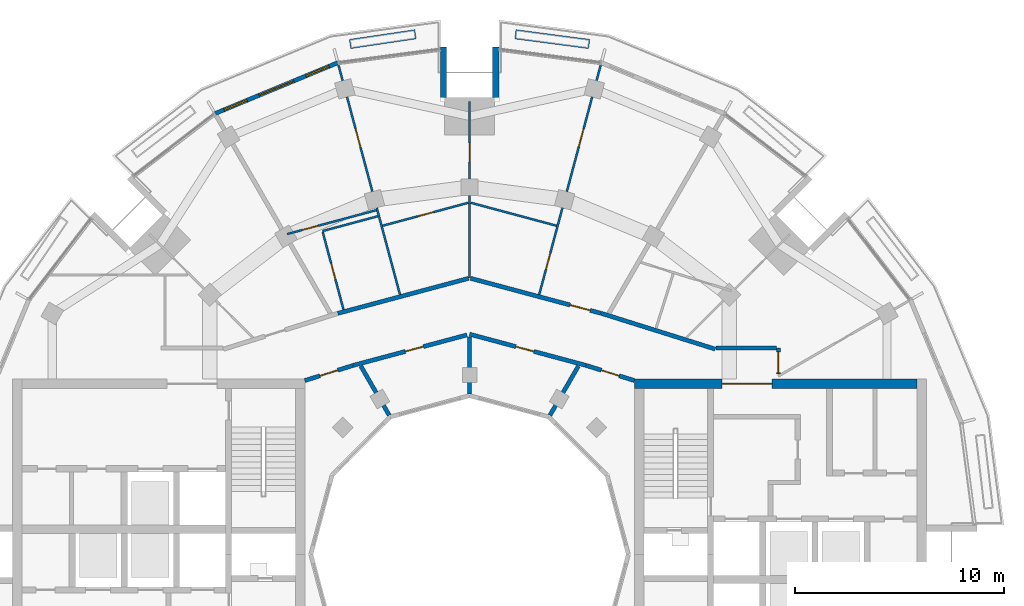
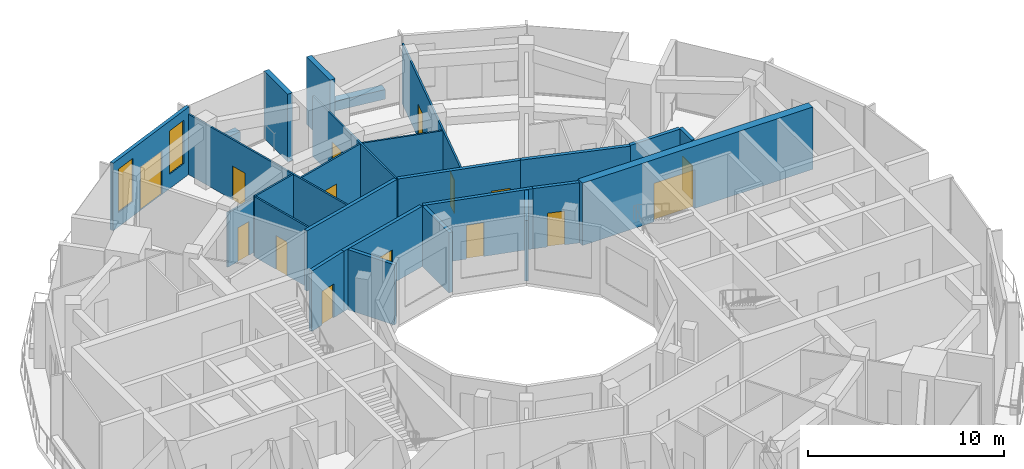
# One storey, part 13 of 17: 26 walls, 15 doors, 2 windows, 17 openings.
"""IFC4 building model written with IfcOpenShell, lengths in metres."""

from ifc_helpers import new_model, si_unit, direction, frame, frame_2d, origin, place, context, subcontext, project, spatial, rectangle, extrude, material, layer, layer_set, type_object, element, fill, save


model = new_model("IFC4")

# Units and contexts
model_context = context("Model", 3, precision=1e-05, world=origin(), true_north=direction((0.0, 1.0)))
body_context = subcontext(model_context, "Body", "Model", "MODEL_VIEW")
ifc_project = project(units=[si_unit("LENGTHUNIT", "METRE"), si_unit("AREAUNIT", "SQUARE_METRE"), si_unit("VOLUMEUNIT", "CUBIC_METRE"), si_unit("PLANEANGLEUNIT", "RADIAN"), si_unit("MASSUNIT", "GRAM", prefix="KILO")], contexts=[model_context])

# Site, building, storey
site_placement = place(None, origin())
site = spatial("IfcSite", under=ifc_project, at=site_placement, CompositionType="ELEMENT")
building_placement = place(site_placement, origin())
building = spatial("IfcBuilding", under=site, at=building_placement, Name="Torre Brocal", CompositionType="ELEMENT")
storey_placement = place(building_placement, frame((0.0, 0.0, 275.699951171875)))
storey = spatial("IfcBuildingStorey", under=building, at=storey_placement, Name="L63", CompositionType="ELEMENT", Elevation=275.699951171875)

# Wall, opening, door
ifc_material_1 = material(Name="Concrete C50", Category="concrete")
ifc_layer_1 = layer(ifc_material_1, 0.449951171875)
ifc_layer_set_1 = layer_set([ifc_layer_1], Name="Concrete C50")
wall_type_1 = type_object("IfcWallType", Name="CORE WALL 450 C50", PredefinedType="SHEAR", material=ifc_layer_set_1)
wall_1_placement = place(storey_placement, frame((87.89990234375, 83.175048828125, 0.0), z_axis=(0.0, 0.0, 1.0), x_axis=(1.0, 0.0, 0.0)))
wall_1 = element("IfcWall", 1, at=wall_1_placement, inside=storey, type_object=wall_type_1, Name="Wall CW450-50", PredefinedType="SHEAR", context=body_context, shape_type="SweptSolid", body=[
    extrude(rectangle(XDim=13.550048828125, YDim=0.449951171875, at=frame_2d((6.77490234375, 0.0))), origin(), (0.0, 0.0, 1.0), 3.880126953125),
])
opening_1_placement = place(wall_1_placement, frame((4.199951171875, 0.0, 0.0)))
opening_1 = element("IfcOpeningElement", 2, at=opening_1_placement, cuts=wall_1, Name="Opening E-D32", PredefinedType="OPENING", context=body_context, shape_type="SweptSolid", body=[
    extrude(rectangle(XDim=2.39990234375, YDim=2.39990234375, at=frame_2d((1.199951171875, 1.199951171875))), frame((0.0, 0.23486328125, 0.0), z_axis=(0.0, -1.0, 0.0), x_axis=(1.0, 0.0, 0.0)), (0.0, 0.0, 1.0), 0.469970703125),
])
ifc_material_2 = material(Name="Steel A653", Category="steel")
door_type_1 = type_object("IfcDoorType", Name="DOUBLE FIRE DOOR FD90 2400X2400", OperationType="DOUBLE_DOOR_SINGLE_SWING", PredefinedType="DOOR", material=ifc_material_2)
door_1_placement = place(opening_1_placement, frame((2.39990234375, 0.0, 0.0), z_axis=(0.0, 0.0, 1.0), x_axis=(-1.0, 0.0, 0.0)))
door_1 = element("IfcDoor", 3, at=door_1_placement, inside=storey, type_object=door_type_1, Name="Door E-D32", OperationType="DOUBLE_DOOR_SINGLE_SWING", OverallHeight=2.39990234375, OverallWidth=2.39990234375, PredefinedType="DOOR", context=body_context, shape_type="SweptSolid", body=[
    extrude(rectangle(XDim=2.39990234375, YDim=2.39990234375, at=frame_2d((1.199951171875, 1.199951171875))), frame((0.0, 0.02490234375, 0.0), z_axis=(0.0, -1.0, 0.0), x_axis=(1.0, 0.0, 0.0)), (0.0, 0.0, 1.0), 0.050048828125),
])
fill(opening_1, door_1)

# Wall, openings, door, windows
ifc_material_3 = material(Name="Concrete C40", Category="concrete")
ifc_layer_2 = layer(ifc_material_3, 0.199951171875)
ifc_layer_set_2 = layer_set([ifc_layer_2], Name="Concrete C40")
wall_type_2 = type_object("IfcWallType", Name="EXTERNAL WALL 200", PredefinedType="NOTDEFINED", material=ifc_layer_set_2)
wall_2_placement = place(storey_placement, frame((73.68505859375, 98.56787109375, 0.0), z_axis=(0.0, 0.0, 1.0), x_axis=(-0.923876679743, -0.382690319485, 0.0)))
wall_2 = element("IfcWall", 4, at=wall_2_placement, inside=storey, type_object=wall_type_2, Name="EXTERNAL WALL", PredefinedType="NOTDEFINED", context=body_context, shape_type="SweptSolid", body=[
    extrude(rectangle(XDim=6.369384765625, YDim=0.199951171875, at=frame_2d((3.1845703125, 0.0))), origin(), (0.0, 0.0, 1.0), 4.199951171875),
])
opening_2_placement = place(wall_2_placement, frame((0.461669921875, 0.0, 0.89990234375)))
opening_2 = element("IfcOpeningElement", 5, at=opening_2_placement, cuts=wall_2, Name="Opening W9", PredefinedType="OPENING", context=body_context, shape_type="SweptSolid", body=[
    extrude(rectangle(XDim=1.199951171875, YDim=2.699951171875, at=frame_2d((0.60009765625, 1.35009765625))), frame((0.0, 0.10986328125, 0.0), z_axis=(0.0, -1.0, 0.0), x_axis=(1.0, 0.0, 0.0)), (0.0, 0.0, 1.0), 0.219970703125),
])
opening_3_placement = place(wall_2_placement, frame((2.28466796875, 0.0, 0.0)))
opening_3 = element("IfcOpeningElement", 6, at=opening_3_placement, cuts=wall_2, Name="Opening L63-E03", PredefinedType="OPENING", context=body_context, shape_type="SweptSolid", body=[
    extrude(rectangle(XDim=1.800048828125, YDim=2.699951171875, at=frame_2d((0.89990234375, 1.35009765625))), frame((0.0, 0.10986328125, 0.0), z_axis=(0.0, -1.0, 0.0), x_axis=(1.0, 0.0, 0.0)), (0.0, 0.0, 1.0), 0.219970703125),
])
opening_4_placement = place(wall_2_placement, frame((4.707763671875, 0.0, 0.89990234375)))
opening_4 = element("IfcOpeningElement", 7, at=opening_4_placement, cuts=wall_2, Name="Opening W9", PredefinedType="OPENING", context=body_context, shape_type="SweptSolid", body=[
    extrude(rectangle(XDim=1.199951171875, YDim=2.699951171875, at=frame_2d((0.60009765625, 1.35009765625))), frame((0.0, 0.10986328125, 0.0), z_axis=(0.0, -1.0, 0.0), x_axis=(1.0, 0.0, 0.0)), (0.0, 0.0, 1.0), 0.219970703125),
])
ifc_material_4 = material(Name="Aluminium and glass", Category="aluminium")
door_type_2 = type_object("IfcDoorType", Name="PENTHOUSE TERRACE DOUBLE DOOR 1800X2700", OperationType="DOUBLE_DOOR_SINGLE_SWING", PredefinedType="DOOR", material=ifc_material_4)
door_2_placement = place(opening_3_placement, frame((1.800048828125, 0.0, 0.0), z_axis=(0.0, 0.0, 1.0), x_axis=(-1.0, 0.0, 0.0)))
door_2 = element("IfcDoor", 8, at=door_2_placement, inside=storey, type_object=door_type_2, Name="DOOR L63-E03", OperationType="DOUBLE_DOOR_SINGLE_SWING", OverallHeight=2.699951171875, OverallWidth=1.800048828125, PredefinedType="DOOR", context=body_context, shape_type="SweptSolid", body=[
    extrude(rectangle(XDim=1.800048828125, YDim=2.699951171875, at=frame_2d((0.89990234375, 1.35009765625))), frame((0.0, 0.02490234375, 0.0), z_axis=(0.0, -1.0, 0.0), x_axis=(1.0, 0.0, 0.0)), (0.0, 0.0, 1.0), 0.050048828125),
])
fill(opening_3, door_2)
ifc_material_5 = material(Name="Aluminium and glass", Category="aluminium")
window_type = type_object("IfcWindowType", Name="PENTHOUSE TERRACE WINDOW 1200X2700", PartitioningType="SINGLE_PANEL", PredefinedType="WINDOW", material=ifc_material_5)
window_1_placement = place(opening_2_placement, origin())
window_1 = element("IfcWindow", 9, at=window_1_placement, inside=storey, type_object=window_type, Name="PENTHOUSE TERRACE WINDOW 1200X2700", OverallHeight=2.699951171875, OverallWidth=1.199951171875, PartitioningType="SINGLE_PANEL", PredefinedType="WINDOW", context=body_context, shape_type="SweptSolid", body=[
    extrude(rectangle(XDim=1.199951171875, YDim=2.699951171875, at=frame_2d((0.60009765625, 1.35009765625))), frame((0.0, 0.030029296875, 0.0), z_axis=(0.0, -1.0, 0.0), x_axis=(1.0, 0.0, 0.0)), (0.0, 0.0, 1.0), 0.06005859375),
])
fill(opening_2, window_1)
window_2_placement = place(opening_4_placement, origin())
window_2 = element("IfcWindow", 10, at=window_2_placement, inside=storey, type_object=window_type, Name="PENTHOUSE TERRACE WINDOW 1200X2700", OverallHeight=2.699951171875, OverallWidth=1.199951171875, PartitioningType="SINGLE_PANEL", PredefinedType="WINDOW", context=body_context, shape_type="SweptSolid", body=[
    extrude(rectangle(XDim=1.199951171875, YDim=2.699951171875, at=frame_2d((0.60009765625, 1.35009765625))), frame((0.0, 0.030029296875, 0.0), z_axis=(0.0, -1.0, 0.0), x_axis=(1.0, 0.0, 0.0)), (0.0, 0.0, 1.0), 0.06005859375),
])
fill(opening_4, window_2)

# Walls
ifc_material_6 = material(Name="Concrete C50", Category="concrete")
ifc_layer_3 = layer(ifc_material_6, 0.300048828125)
ifc_layer_set_3 = layer_set([ifc_layer_3], Name="Concrete C50")
wall_type_3 = type_object("IfcWallType", Name="NOTCH RETURN WALL 300 C50", PredefinedType="NOTDEFINED", material=ifc_layer_set_3)
for number, where, z_axis, x_axis, name in (
    (11, (81.25, 96.89990234375, 0.0), (0.0, 0.0, 1.0), (0.0, 1.0, 0.0), "NOTCH RETURN WALL"),
    (12, (78.75, 96.89990234375, 0.0), (0.0, 0.0, 1.0), (0.0, 1.0, 0.0), "NOTCH RETURN WALL"),
):
    element("IfcWall", number, at=place(storey_placement, frame(where, z_axis=z_axis, x_axis=x_axis)), inside=storey, type_object=wall_type_3, Name=name, PredefinedType="NOTDEFINED", context=body_context, shape_type="SweptSolid", body=[
        extrude(rectangle(XDim=2.415771484375, YDim=0.300048828125, at=frame_2d((1.2080078125, 0.0))), origin(), (0.0, 0.0, 1.0), 4.199951171875),
    ])

# Wall, opening, door
ifc_material_7 = material(Name="Gypsum board", Category="Gypsum")
ifc_layer_4 = layer(ifc_material_7, 0.10009765625)
ifc_layer_set_4 = layer_set([ifc_layer_4], Name="Gypsum board")
wall_type_4 = type_object("IfcWallType", Name="PARTITION 100", PredefinedType="PARTITIONING", material=ifc_layer_set_4)
wall_3_placement = place(storey_placement, frame((72.962890625, 90.44873046875, 0.0), z_axis=(0.0, 0.0, 1.0), x_axis=(0.25854689918, -0.965998706482, 0.0)))
wall_3 = element("IfcWall", 13, at=wall_3_placement, inside=storey, type_object=wall_type_4, Name="BATHROOM WALL", PredefinedType="PARTITIONING", context=body_context, shape_type="SweptSolid", body=[
    extrude(rectangle(XDim=3.848876953125, YDim=0.10009765625, at=frame_2d((1.92431640625, 0.0))), origin(), (0.0, 0.0, 1.0), 3.75),
])
opening_5_placement = place(wall_3_placement, frame((1.549560546875, 0.0, 0.0)))
opening_5 = element("IfcOpeningElement", 14, at=opening_5_placement, cuts=wall_3, Name="Opening N01-D12", PredefinedType="OPENING", context=body_context, shape_type="SweptSolid", body=[
    extrude(rectangle(XDim=0.800048828125, YDim=2.10009765625, at=frame_2d((0.39990234375, 1.050048828125))), frame((0.0, 0.06005859375, 0.0), z_axis=(0.0, -1.0, 0.0), x_axis=(1.0, 0.0, 0.0)), (0.0, 0.0, 1.0), 0.1201171875),
])
ifc_material_8 = material(Name="Timber", Category="wood")
door_type_3 = type_object("IfcDoorType", Name="BATHROOM DOOR 800X2100", OperationType="SINGLE_SWING_LEFT", PredefinedType="DOOR", material=ifc_material_8)
door_3_placement = place(opening_5_placement, origin())
door_3 = element("IfcDoor", 15, at=door_3_placement, inside=storey, type_object=door_type_3, Name="N01-D12", OperationType="SINGLE_SWING_RIGHT", OverallHeight=2.10009765625, OverallWidth=0.800048828125, PredefinedType="DOOR", context=body_context, shape_type="SweptSolid", body=[
    extrude(rectangle(XDim=0.800048828125, YDim=2.10009765625, at=frame_2d((0.39990234375, 1.050048828125))), frame((0.0, 0.02490234375, 0.0), z_axis=(0.0, -1.0, 0.0), x_axis=(1.0, 0.0, 0.0)), (0.0, 0.0, 1.0), 0.050048828125),
])
fill(opening_5, door_3)

# Wall
wall_4_placement = place(storey_placement, frame((72.949951171875, 90.4970703125, 0.0), z_axis=(0.0, 0.0, 1.0), x_axis=(0.96588619323, 0.258966912418, 0.0)))
element("IfcWall", 16, at=wall_4_placement, inside=storey, type_object=wall_type_4, Name="BATHROOM WALL", PredefinedType="PARTITIONING", context=body_context, shape_type="SweptSolid", body=[
    extrude(rectangle(XDim=2.7490234375, YDim=0.10009765625, at=frame_2d((1.37451171875, 0.0))), origin(), (0.0, 0.0, 1.0), 3.75),
])

# Wall, opening, door
wall_5_placement = place(storey_placement, frame((73.7119140625, 98.470458984375, 0.0), z_axis=(0.0, 0.0, 1.0), x_axis=(0.258727167471, -0.965950440143, 0.0)))
wall_5 = element("IfcWall", 17, at=wall_5_placement, inside=storey, type_object=wall_type_4, Name="BATHROOM WALL", PredefinedType="PARTITIONING", context=body_context, shape_type="SweptSolid", body=[
    extrude(rectangle(XDim=11.403564453125, YDim=0.10009765625, at=frame_2d((5.70166015625, 0.0))), origin(), (0.0, 0.0, 1.0), 3.75),
])
opening_6_placement = place(wall_5_placement, frame((3.187255859375, 0.0, 0.0)))
opening_6 = element("IfcOpeningElement", 18, at=opening_6_placement, cuts=wall_5, Name="Opening N01-D11", PredefinedType="OPENING", context=body_context, shape_type="SweptSolid", body=[
    extrude(rectangle(XDim=0.89990234375, YDim=2.10009765625, at=frame_2d((0.449951171875, 1.050048828125))), frame((0.0, 0.06005859375, 0.0), z_axis=(0.0, -1.0, 0.0), x_axis=(1.0, 0.0, 0.0)), (0.0, 0.0, 1.0), 0.1201171875),
])
ifc_material_9 = material(Name="Timber", Category="wood")
door_type_4 = type_object("IfcDoorType", Name="ROOM DOOR 900X2100", OperationType="SINGLE_SWING_LEFT", PredefinedType="DOOR", material=ifc_material_9)
door_4_placement = place(opening_6_placement, origin())
door_4 = element("IfcDoor", 19, at=door_4_placement, inside=storey, type_object=door_type_4, Name="N01-D11", OperationType="SINGLE_SWING_LEFT", OverallHeight=2.10009765625, OverallWidth=0.89990234375, PredefinedType="DOOR", context=body_context, shape_type="SweptSolid", body=[
    extrude(rectangle(XDim=0.89990234375, YDim=2.10009765625, at=frame_2d((0.449951171875, 1.050048828125))), frame((0.0, 0.02490234375, 0.0), z_axis=(0.0, -1.0, 0.0), x_axis=(1.0, 0.0, 0.0)), (0.0, 0.0, 1.0), 0.050048828125),
])
fill(opening_6, door_4)

wall_6_placement = place(storey_placement, frame((75.83154296875, 90.751953125, 0.0), z_axis=(0.0, 0.0, 1.0), x_axis=(0.965856843682, 0.259076354601, 0.0)))
wall_6 = element("IfcWall", 20, at=wall_6_placement, inside=storey, type_object=wall_type_4, Name="BATHROOM WALL", PredefinedType="PARTITIONING", context=body_context, shape_type="SweptSolid", body=[
    extrude(rectangle(XDim=4.255615234375, YDim=0.10009765625, at=frame_2d((2.1279296875, 0.0))), origin(), (0.0, 0.0, 1.0), 3.75),
])
opening_7_placement = place(wall_6_placement, frame((1.732666015625, 0.0, 0.0)))
opening_7 = element("IfcOpeningElement", 21, at=opening_7_placement, cuts=wall_6, Name="Opening N01-D10", PredefinedType="OPENING", context=body_context, shape_type="SweptSolid", body=[
    extrude(rectangle(XDim=0.800048828125, YDim=2.10009765625, at=frame_2d((0.39990234375, 1.050048828125))), frame((0.0, 0.06005859375, 0.0), z_axis=(0.0, -1.0, 0.0), x_axis=(1.0, 0.0, 0.0)), (0.0, 0.0, 1.0), 0.1201171875),
])
door_5_placement = place(opening_7_placement, frame((0.800048828125, 0.0, 0.0), z_axis=(0.0, 0.0, 1.0), x_axis=(-1.0, 0.0, 0.0)))
door_5 = element("IfcDoor", 22, at=door_5_placement, inside=storey, type_object=door_type_3, Name="N01-D10", OperationType="SINGLE_SWING_LEFT", OverallHeight=2.10009765625, OverallWidth=0.800048828125, PredefinedType="DOOR", context=body_context, shape_type="SweptSolid", body=[
    extrude(rectangle(XDim=0.800048828125, YDim=2.10009765625, at=frame_2d((0.39990234375, 1.050048828125))), frame((0.0, 0.02490234375, 0.0), z_axis=(0.0, -1.0, 0.0), x_axis=(1.0, 0.0, 0.0)), (0.0, 0.0, 1.0), 0.050048828125),
])
fill(opening_7, door_5)

wall_7_placement = place(storey_placement, frame((80.0, 88.24609375, 0.0), z_axis=(0.0, 0.0, 1.0), x_axis=(0.0, 1.0, 0.0)))
wall_7 = element("IfcWall", 23, at=wall_7_placement, inside=storey, type_object=wall_type_4, Name="BATHROOM WALL", PredefinedType="PARTITIONING", context=body_context, shape_type="SweptSolid", body=[
    extrude(rectangle(XDim=8.453857421875, YDim=0.10009765625, at=frame_2d((4.22705078125, 0.0))), origin(), (0.0, 0.0, 1.0), 3.75),
])
opening_8_placement = place(wall_7_placement, frame((5.56396484375, 0.0, 0.0)))
opening_8 = element("IfcOpeningElement", 24, at=opening_8_placement, cuts=wall_7, Name="Opening N01-D09", PredefinedType="OPENING", context=body_context, shape_type="SweptSolid", body=[
    extrude(rectangle(XDim=0.89990234375, YDim=2.10009765625, at=frame_2d((0.449951171875, 1.050048828125))), frame((0.0, 0.06005859375, 0.0), z_axis=(0.0, -1.0, 0.0), x_axis=(1.0, 0.0, 0.0)), (0.0, 0.0, 1.0), 0.1201171875),
])
door_6_placement = place(opening_8_placement, origin())
door_6 = element("IfcDoor", 25, at=door_6_placement, inside=storey, type_object=door_type_4, Name="N01-D09", OperationType="SINGLE_SWING_RIGHT", OverallHeight=2.10009765625, OverallWidth=0.89990234375, PredefinedType="DOOR", context=body_context, shape_type="SweptSolid", body=[
    extrude(rectangle(XDim=0.89990234375, YDim=2.10009765625, at=frame_2d((0.449951171875, 1.050048828125))), frame((0.0, 0.02490234375, 0.0), z_axis=(0.0, -1.0, 0.0), x_axis=(1.0, 0.0, 0.0)), (0.0, 0.0, 1.0), 0.050048828125),
])
fill(opening_8, door_6)

# Wall
wall_8_placement = place(storey_placement, frame((80.05810546875, 91.8544921875, 0.0), z_axis=(0.0, 0.0, 1.0), x_axis=(0.96586069397, -0.259061999998, 0.0)))
element("IfcWall", 26, at=wall_8_placement, inside=storey, type_object=wall_type_4, Name="BATHROOM WALL", PredefinedType="PARTITIONING", context=body_context, shape_type="SweptSolid", body=[
    extrude(rectangle(XDim=4.255859375, YDim=0.10009765625, at=frame_2d((2.1279296875, 0.0))), origin(), (0.0, 0.0, 1.0), 3.75),
])

# Wall, openings, doors
wall_9_placement = place(storey_placement, frame((83.3369140625, 87.455078125, 0.0), z_axis=(0.0, 0.0, 1.0), x_axis=(0.25887234328, 0.965911543509, 0.0)))
wall_9 = element("IfcWall", 27, at=wall_9_placement, inside=storey, type_object=wall_type_4, Name="BATHROOM WALL", PredefinedType="PARTITIONING", context=body_context, shape_type="SweptSolid", body=[
    extrude(rectangle(XDim=11.40380859375, YDim=0.10009765625, at=frame_2d((5.701904296875, 0.0))), origin(), (0.0, 0.0, 1.0), 3.75),
])
opening_9_placement = place(wall_9_placement, frame((7.326416015625, 0.0, 0.0)))
opening_9 = element("IfcOpeningElement", 28, at=opening_9_placement, cuts=wall_9, Name="Opening N01-D07", PredefinedType="OPENING", context=body_context, shape_type="SweptSolid", body=[
    extrude(rectangle(XDim=0.89990234375, YDim=2.10009765625, at=frame_2d((0.449951171875, 1.050048828125))), frame((0.0, 0.06005859375, 0.0), z_axis=(0.0, -1.0, 0.0), x_axis=(1.0, 0.0, 0.0)), (0.0, 0.0, 1.0), 0.1201171875),
])
opening_10_placement = place(wall_9_placement, frame((1.259521484375, 0.0, 0.0)))
opening_10 = element("IfcOpeningElement", 29, at=opening_10_placement, cuts=wall_9, Name="Opening N01-D08", PredefinedType="OPENING", context=body_context, shape_type="SweptSolid", body=[
    extrude(rectangle(XDim=0.800048828125, YDim=2.10009765625, at=frame_2d((0.39990234375, 1.050048828125))), frame((0.0, 0.06005859375, 0.0), z_axis=(0.0, -1.0, 0.0), x_axis=(1.0, 0.0, 0.0)), (0.0, 0.0, 1.0), 0.1201171875),
])
door_7_placement = place(opening_10_placement, origin())
door_7 = element("IfcDoor", 30, at=door_7_placement, inside=storey, type_object=door_type_3, Name="N01-D08", OperationType="SINGLE_SWING_LEFT", OverallHeight=2.10009765625, OverallWidth=0.800048828125, PredefinedType="DOOR", context=body_context, shape_type="SweptSolid", body=[
    extrude(rectangle(XDim=0.800048828125, YDim=2.10009765625, at=frame_2d((0.39990234375, 1.050048828125))), frame((0.0, 0.02490234375, 0.0), z_axis=(0.0, -1.0, 0.0), x_axis=(1.0, 0.0, 0.0)), (0.0, 0.0, 1.0), 0.050048828125),
])
fill(opening_10, door_7)
door_8_placement = place(opening_9_placement, origin())
door_8 = element("IfcDoor", 31, at=door_8_placement, inside=storey, type_object=door_type_4, Name="N01-D07", OperationType="SINGLE_SWING_RIGHT", OverallHeight=2.10009765625, OverallWidth=0.89990234375, PredefinedType="DOOR", context=body_context, shape_type="SweptSolid", body=[
    extrude(rectangle(XDim=0.89990234375, YDim=2.10009765625, at=frame_2d((0.449951171875, 1.050048828125))), frame((0.0, 0.02490234375, 0.0), z_axis=(0.0, -1.0, 0.0), x_axis=(1.0, 0.0, 0.0)), (0.0, 0.0, 1.0), 0.050048828125),
])
fill(opening_9, door_8)

# Wall, opening, door
ifc_material_10 = material(Name="Gypsum board", Category="Gypsum")
ifc_layer_5 = layer(ifc_material_10, 0.10009765625)
ifc_layer_set_5 = layer_set([ifc_layer_5], Name="Gypsum board")
wall_type_5 = type_object("IfcWallType", Name="PARTITION 100 UNDER BEAM 820", PredefinedType="PARTITIONING", material=ifc_layer_set_5)
wall_10_placement = place(storey_placement, frame((71.2578125, 90.3544921875, 0.0), z_axis=(0.0, 0.0, 1.0), x_axis=(0.965955692548, 0.258707556973, 0.0)))
wall_10 = element("IfcWall", 32, at=wall_10_placement, inside=storey, type_object=wall_type_5, Name="BATHROOM WALL", PredefinedType="PARTITIONING", context=body_context, shape_type="SweptSolid", body=[
    extrude(rectangle(XDim=4.420166015625, YDim=0.10009765625, at=frame_2d((2.2099609375, 0.0))), origin(), (0.0, 0.0, 1.0), 3.380126953125),
])
opening_11_placement = place(wall_10_placement, frame((0.72998046875, 0.0, 0.0)))
opening_11 = element("IfcOpeningElement", 33, at=opening_11_placement, cuts=wall_10, Name="Opening N01-D13", PredefinedType="OPENING", context=body_context, shape_type="SweptSolid", body=[
    extrude(rectangle(XDim=0.800048828125, YDim=2.10009765625, at=frame_2d((0.39990234375, 1.050048828125))), frame((0.0, 0.06005859375, 0.0), z_axis=(0.0, -1.0, 0.0), x_axis=(1.0, 0.0, 0.0)), (0.0, 0.0, 1.0), 0.1201171875),
])
door_9_placement = place(opening_11_placement, origin())
door_9 = element("IfcDoor", 34, at=door_9_placement, inside=storey, type_object=door_type_3, Name="N01-D13", OperationType="SINGLE_SWING_LEFT", OverallHeight=2.10009765625, OverallWidth=0.800048828125, PredefinedType="DOOR", context=body_context, shape_type="SweptSolid", body=[
    extrude(rectangle(XDim=0.800048828125, YDim=2.10009765625, at=frame_2d((0.39990234375, 1.050048828125))), frame((0.0, 0.02490234375, 0.0), z_axis=(0.0, -1.0, 0.0), x_axis=(1.0, 0.0, 0.0)), (0.0, 0.0, 1.0), 0.050048828125),
])
fill(opening_11, door_9)

ifc_material_11 = material(Name="Gypsum board", Category="Gypsum")
ifc_layer_6 = layer(ifc_material_11, 0.199951171875)
ifc_layer_set_6 = layer_set([ifc_layer_6], Name="Gypsum board")
wall_type_6 = type_object("IfcWallType", Name="PARTITION 200 EI60", PredefinedType="PARTITIONING", material=ifc_layer_set_6)
wall_11_placement = place(storey_placement, frame((72.10009765625, 83.33203125, 0.0), z_axis=(0.0, 0.0, 1.0), x_axis=(0.954233106619, 0.299063836383, 0.0)))
wall_11 = element("IfcWall", 35, at=wall_11_placement, inside=storey, type_object=wall_type_6, Name="CORRIDOR WALL", PredefinedType="PARTITIONING", context=body_context, shape_type="SweptSolid", body=[
    extrude(rectangle(XDim=2.4140625, YDim=0.199951171875, at=frame_2d((1.20703125, 0.0))), origin(), (0.0, 0.0, 1.0), 3.75),
])
opening_12_placement = place(wall_11_placement, frame((0.761962890625, 0.0, 0.0)))
opening_12 = element("IfcOpeningElement", 36, at=opening_12_placement, cuts=wall_11, Name="Opening N01-D21", PredefinedType="OPENING", context=body_context, shape_type="SweptSolid", body=[
    extrude(rectangle(XDim=0.89990234375, YDim=2.10009765625, at=frame_2d((0.449951171875, 1.050048828125))), frame((0.0, 0.10986328125, 0.0), z_axis=(0.0, -1.0, 0.0), x_axis=(1.0, 0.0, 0.0)), (0.0, 0.0, 1.0), 0.219970703125),
])
door_10_placement = place(opening_12_placement, frame((0.89990234375, 0.0, 0.0), z_axis=(0.0, 0.0, 1.0), x_axis=(-1.0, 0.0, 0.0)))
door_10 = element("IfcDoor", 37, at=door_10_placement, inside=storey, type_object=door_type_4, Name="N01-D21", OperationType="SINGLE_SWING_RIGHT", OverallHeight=2.10009765625, OverallWidth=0.89990234375, PredefinedType="DOOR", context=body_context, shape_type="SweptSolid", body=[
    extrude(rectangle(XDim=0.89990234375, YDim=2.10009765625, at=frame_2d((0.449951171875, 1.050048828125))), frame((0.0, 0.02490234375, 0.0), z_axis=(0.0, -1.0, 0.0), x_axis=(1.0, 0.0, 0.0)), (0.0, 0.0, 1.0), 0.050048828125),
])
fill(opening_12, door_10)

# Wall
wall_12_placement = place(storey_placement, frame((73.68701171875, 86.554443359375, 0.0), z_axis=(0.0, 0.0, 1.0), x_axis=(0.966002126521, 0.258534120682, 0.0)))
element("IfcWall", 38, at=wall_12_placement, inside=storey, type_object=wall_type_6, Name="GUESTROOM CORRIDOR WALL", PredefinedType="PARTITIONING", context=body_context, shape_type="SweptSolid", body=[
    extrude(rectangle(XDim=6.485595703125, YDim=0.199951171875, at=frame_2d((3.24267578125, 0.0))), origin(), (0.0, 0.0, 1.0), 3.75),
])

# Wall, opening, door
wall_13_placement = place(storey_placement, frame((74.4130859375, 84.056884765625, 0.0), z_axis=(0.0, 0.0, 1.0), x_axis=(0.965972135939, 0.258646153246, 0.0)))
wall_13 = element("IfcWall", 39, at=wall_13_placement, inside=storey, type_object=wall_type_6, Name="CORRIDOR WALL", PredefinedType="PARTITIONING", context=body_context, shape_type="SweptSolid", body=[
    extrude(rectangle(XDim=5.654052734375, YDim=0.199951171875, at=frame_2d((2.8271484375, 0.0))), origin(), (0.0, 0.0, 1.0), 3.75),
])
opening_13_placement = place(wall_13_placement, frame((2.5927734375, 0.0, 0.0)))
opening_13 = element("IfcOpeningElement", 40, at=opening_13_placement, cuts=wall_13, Name="Opening N01-D20", PredefinedType="OPENING", context=body_context, shape_type="SweptSolid", body=[
    extrude(rectangle(XDim=0.89990234375, YDim=2.10009765625, at=frame_2d((0.449951171875, 1.050048828125))), frame((0.0, 0.10986328125, 0.0), z_axis=(0.0, -1.0, 0.0), x_axis=(1.0, 0.0, 0.0)), (0.0, 0.0, 1.0), 0.219970703125),
])
door_11_placement = place(opening_13_placement, frame((0.89990234375, 0.0, 0.0), z_axis=(0.0, 0.0, 1.0), x_axis=(-1.0, 0.0, 0.0)))
door_11 = element("IfcDoor", 41, at=door_11_placement, inside=storey, type_object=door_type_4, Name="N01-D20", OperationType="SINGLE_SWING_RIGHT", OverallHeight=2.10009765625, OverallWidth=0.89990234375, PredefinedType="DOOR", context=body_context, shape_type="SweptSolid", body=[
    extrude(rectangle(XDim=0.89990234375, YDim=2.10009765625, at=frame_2d((0.449951171875, 1.050048828125))), frame((0.0, 0.02490234375, 0.0), z_axis=(0.0, -1.0, 0.0), x_axis=(1.0, 0.0, 0.0)), (0.0, 0.0, 1.0), 0.050048828125),
])
fill(opening_13, door_11)

# Walls
wall_14_placement = place(storey_placement, frame((74.78759765625, 84.027099609375, 0.0), z_axis=(0.0, 0.0, 1.0), x_axis=(0.49997314572, -0.866040907555, 0.0)))
element("IfcWall", 42, at=wall_14_placement, inside=storey, type_object=wall_type_6, Name="SERVICE ROOM WALL", PredefinedType="PARTITIONING", context=body_context, shape_type="SweptSolid", body=[
    extrude(rectangle(XDim=2.725830078125, YDim=0.199951171875, at=frame_2d((1.36279296875, 0.0))), origin(), (0.0, 0.0, 1.0), 3.75),
])
wall_15_placement = place(storey_placement, frame((80.0, 82.698974609375, 0.0), z_axis=(0.0, 0.0, 1.0), x_axis=(0.0, 1.0, 0.0)))
element("IfcWall", 43, at=wall_15_placement, inside=storey, type_object=wall_type_6, Name="SERVICE ROOM WALL", PredefinedType="PARTITIONING", context=body_context, shape_type="SweptSolid", body=[
    extrude(rectangle(XDim=2.72509765625, YDim=0.199951171875, at=frame_2d((1.362548828125, 0.0))), origin(), (0.0, 0.0, 1.0), 3.75),
])

# Wall, opening, door
wall_16_placement = place(storey_placement, frame((80.0, 85.553955078125, 0.0), z_axis=(0.0, 0.0, 1.0), x_axis=(0.965928989968, -0.258807237802, 0.0)))
wall_16 = element("IfcWall", 44, at=wall_16_placement, inside=storey, type_object=wall_type_6, Name="CORRIDOR WALL", PredefinedType="PARTITIONING", context=body_context, shape_type="SweptSolid", body=[
    extrude(rectangle(XDim=5.774169921875, YDim=0.199951171875, at=frame_2d((2.88720703125, 0.0))), origin(), (0.0, 0.0, 1.0), 3.75),
])
opening_14_placement = place(wall_16_placement, frame((2.29150390625, 0.0, 0.0)))
opening_14 = element("IfcOpeningElement", 45, at=opening_14_placement, cuts=wall_16, Name="Opening N01-D19", PredefinedType="OPENING", context=body_context, shape_type="SweptSolid", body=[
    extrude(rectangle(XDim=0.89990234375, YDim=2.10009765625, at=frame_2d((0.449951171875, 1.050048828125))), frame((0.0, 0.10986328125, 0.0), z_axis=(0.0, -1.0, 0.0), x_axis=(1.0, 0.0, 0.0)), (0.0, 0.0, 1.0), 0.219970703125),
])
door_12_placement = place(opening_14_placement, frame((0.89990234375, 0.0, 0.0), z_axis=(0.0, 0.0, 1.0), x_axis=(-1.0, 0.0, 0.0)))
door_12 = element("IfcDoor", 46, at=door_12_placement, inside=storey, type_object=door_type_4, Name="N01-D19", OperationType="SINGLE_SWING_LEFT", OverallHeight=2.10009765625, OverallWidth=0.89990234375, PredefinedType="DOOR", context=body_context, shape_type="SweptSolid", body=[
    extrude(rectangle(XDim=0.89990234375, YDim=2.10009765625, at=frame_2d((0.449951171875, 1.050048828125))), frame((0.0, 0.02490234375, 0.0), z_axis=(0.0, -1.0, 0.0), x_axis=(1.0, 0.0, 0.0)), (0.0, 0.0, 1.0), 0.050048828125),
])
fill(opening_14, door_12)

wall_17_placement = place(storey_placement, frame((80.04833984375, 88.233154296875, 0.0), z_axis=(0.0, 0.0, 1.0), x_axis=(0.965865387308, -0.259044501198, 0.0)))
wall_17 = element("IfcWall", 47, at=wall_17_placement, inside=storey, type_object=wall_type_6, Name="FLAT ENTRANCE WALL", PredefinedType="PARTITIONING", context=body_context, shape_type="SweptSolid", body=[
    extrude(rectangle(XDim=6.4755859375, YDim=0.199951171875, at=frame_2d((3.23779296875, 0.0))), origin(), (0.0, 0.0, 1.0), 3.75),
])
opening_15_placement = place(wall_17_placement, frame((4.935791015625, 0.0, 0.0)))
opening_15 = element("IfcOpeningElement", 48, at=opening_15_placement, cuts=wall_17, Name="Opening N01-D06", PredefinedType="OPENING", context=body_context, shape_type="SweptSolid", body=[
    extrude(rectangle(XDim=1.0, YDim=2.10009765625, at=frame_2d((0.5, 1.050048828125))), frame((0.0, 0.10986328125, 0.0), z_axis=(0.0, -1.0, 0.0), x_axis=(1.0, 0.0, 0.0)), (0.0, 0.0, 1.0), 0.219970703125),
])
ifc_material_12 = material(Name="Timber", Category="wood")
door_type_5 = type_object("IfcDoorType", Name="FLAT ENTRY DOOR FD30S 1000X2100", OperationType="SINGLE_SWING_RIGHT", PredefinedType="DOOR", material=ifc_material_12)
door_13_placement = place(opening_15_placement, origin())
door_13 = element("IfcDoor", 49, at=door_13_placement, inside=storey, type_object=door_type_5, Name="N01-D06", OperationType="SINGLE_SWING_RIGHT", OverallHeight=2.10009765625, OverallWidth=1.0, PredefinedType="DOOR", context=body_context, shape_type="SweptSolid", body=[
    extrude(rectangle(XDim=1.0, YDim=2.10009765625, at=frame_2d((0.5, 1.050048828125))), frame((0.0, 0.02490234375, 0.0), z_axis=(0.0, -1.0, 0.0), x_axis=(1.0, 0.0, 0.0)), (0.0, 0.0, 1.0), 0.050048828125),
])
fill(opening_15, door_13)

# Wall
wall_18_placement = place(storey_placement, frame((83.850341796875, 81.666259765625, 0.0), z_axis=(0.0, 0.0, 1.0), x_axis=(0.500146274735, 0.865940935554, 0.0)))
element("IfcWall", 50, at=wall_18_placement, inside=storey, type_object=wall_type_6, Name="SERVICE ROOM WALL", PredefinedType="PARTITIONING", context=body_context, shape_type="SweptSolid", body=[
    extrude(rectangle(XDim=2.725830078125, YDim=0.199951171875, at=frame_2d((1.36279296875, 0.0))), origin(), (0.0, 0.0, 1.0), 3.75),
])

# Wall, opening, door
wall_19_placement = place(storey_placement, frame((85.5869140625, 84.056884765625, 0.0), z_axis=(0.0, 0.0, 1.0), x_axis=(0.954239513179, -0.299043393987, 0.0)))
wall_19 = element("IfcWall", 51, at=wall_19_placement, inside=storey, type_object=wall_type_6, Name="CORRIDOR WALL", PredefinedType="PARTITIONING", context=body_context, shape_type="SweptSolid", body=[
    extrude(rectangle(XDim=2.423828125, YDim=0.199951171875, at=frame_2d((1.2119140625, 0.0))), origin(), (0.0, 0.0, 1.0), 3.75),
])
opening_16_placement = place(wall_19_placement, frame((0.761962890625, 0.0, 0.0)))
opening_16 = element("IfcOpeningElement", 52, at=opening_16_placement, cuts=wall_19, Name="Opening N01-D18", PredefinedType="OPENING", context=body_context, shape_type="SweptSolid", body=[
    extrude(rectangle(XDim=0.89990234375, YDim=2.10009765625, at=frame_2d((0.449951171875, 1.050048828125))), frame((0.0, 0.10986328125, 0.0), z_axis=(0.0, -1.0, 0.0), x_axis=(1.0, 0.0, 0.0)), (0.0, 0.0, 1.0), 0.219970703125),
])
door_14_placement = place(opening_16_placement, frame((0.89990234375, 0.0, 0.0), z_axis=(0.0, 0.0, 1.0), x_axis=(-1.0, 0.0, 0.0)))
door_14 = element("IfcDoor", 53, at=door_14_placement, inside=storey, type_object=door_type_4, Name="N01-D18", OperationType="SINGLE_SWING_LEFT", OverallHeight=2.10009765625, OverallWidth=0.89990234375, PredefinedType="DOOR", context=body_context, shape_type="SweptSolid", body=[
    extrude(rectangle(XDim=0.89990234375, YDim=2.10009765625, at=frame_2d((0.449951171875, 1.050048828125))), frame((0.0, 0.02490234375, 0.0), z_axis=(0.0, -1.0, 0.0), x_axis=(1.0, 0.0, 0.0)), (0.0, 0.0, 1.0), 0.050048828125),
])
fill(opening_16, door_14)

# Walls
wall_20_placement = place(storey_placement, frame((86.313232421875, 86.554443359375, 0.0), z_axis=(0.0, 0.0, 1.0), x_axis=(0.954089584911, -0.299521391497, 0.0)))
element("IfcWall", 54, at=wall_20_placement, inside=storey, type_object=wall_type_6, Name="FLAT ENTRANCE WALL", PredefinedType="PARTITIONING", context=body_context, shape_type="SweptSolid", body=[
    extrude(rectangle(XDim=5.720458984375, YDim=0.199951171875, at=frame_2d((2.8603515625, 0.0))), origin(), (0.0, 0.0, 1.0), 3.75),
])
wall_21_placement = place(storey_placement, frame((91.800048828125, 84.89990234375, 0.0), z_axis=(0.0, 0.0, 1.0), x_axis=(1.0, 0.0, 0.0)))
element("IfcWall", 55, at=wall_21_placement, inside=storey, type_object=wall_type_6, Name="FLAT ENTRANCE WALL", PredefinedType="PARTITIONING", context=body_context, shape_type="SweptSolid", body=[
    extrude(rectangle(XDim=2.89990234375, YDim=0.199951171875, at=frame_2d((1.449951171875, 0.0))), origin(), (0.0, 0.0, 1.0), 3.75),
])

# Wall, opening, door
wall_22_placement = place(storey_placement, frame((94.800048828125, 83.64990234375, 0.0), z_axis=(0.0, 0.0, 1.0), x_axis=(0.0, 1.0, 0.0)))
wall_22 = element("IfcWall", 56, at=wall_22_placement, inside=storey, type_object=wall_type_6, Name="FLAT ENTRANCE WALL", PredefinedType="PARTITIONING", context=body_context, shape_type="SweptSolid", body=[
    extrude(rectangle(XDim=1.25, YDim=0.199951171875, at=frame_2d((0.625, 0.0))), origin(), (0.0, 0.0, 1.0), 3.75),
])
opening_17_placement = place(wall_22_placement, frame((0.0625, 0.0, 0.0)))
opening_17 = element("IfcOpeningElement", 57, at=opening_17_placement, cuts=wall_22, Name="Opening N01-D01", PredefinedType="OPENING", context=body_context, shape_type="SweptSolid", body=[
    extrude(rectangle(XDim=1.0, YDim=2.10009765625, at=frame_2d((0.5, 1.050048828125))), frame((0.0, 0.10986328125, 0.0), z_axis=(0.0, -1.0, 0.0), x_axis=(1.0, 0.0, 0.0)), (0.0, 0.0, 1.0), 0.219970703125),
])
door_15_placement = place(opening_17_placement, frame((1.0, 0.0, 0.0), z_axis=(0.0, 0.0, 1.0), x_axis=(-1.0, 0.0, 0.0)))
door_15 = element("IfcDoor", 58, at=door_15_placement, inside=storey, type_object=door_type_5, Name="N01-D01", OperationType="SINGLE_SWING_LEFT", OverallHeight=2.10009765625, OverallWidth=1.0, PredefinedType="DOOR", context=body_context, shape_type="SweptSolid", body=[
    extrude(rectangle(XDim=1.0, YDim=2.10009765625, at=frame_2d((0.5, 1.050048828125))), frame((0.0, 0.02490234375, 0.0), z_axis=(0.0, -1.0, 0.0), x_axis=(1.0, 0.0, 0.0)), (0.0, 0.0, 1.0), 0.050048828125),
])
fill(opening_17, door_15)

# Walls
ifc_material_13 = material(Name="Concrete C35", Category="concrete")
ifc_layer_7 = layer(ifc_material_13, 0.449951171875)
ifc_layer_set_7 = layer_set([ifc_layer_7], Name="Concrete C35")
wall_type_7 = type_object("IfcWallType", Name="PLANTER WALL 450 THICK 600 HIGH", PredefinedType="USERDEFINED", material=ifc_layer_set_7)
wall_23_placement = place(storey_placement, frame((85.73388671875, 99.46337890625, 0.0), z_axis=(0.0, 0.0, 1.0), x_axis=(-0.991439164771, 0.130569454921, 0.0)))
element("IfcWall", 59, at=wall_23_placement, inside=storey, type_object=wall_type_7, Name="PLANTER", ObjectType="PLANTER", PredefinedType="USERDEFINED", context=body_context, shape_type="SweptSolid", body=[
    extrude(rectangle(XDim=3.5712890625, YDim=0.449951171875, at=frame_2d((1.78564453125, 0.0))), origin(), (0.0, 0.0, 1.0), 0.60009765625),
])
wall_24_placement = place(storey_placement, frame((77.41015625, 99.9296875, 0.0), z_axis=(0.0, 0.0, 1.0), x_axis=(-0.989179529329, -0.14671011811, 0.0)))
element("IfcWall", 60, at=wall_24_placement, inside=storey, type_object=wall_type_7, Name="PLANTER", ObjectType="PLANTER", PredefinedType="USERDEFINED", context=body_context, shape_type="SweptSolid", body=[
    extrude(rectangle(XDim=3.178466796875, YDim=0.449951171875, at=frame_2d((1.58935546875, 0.0))), origin(), (0.0, 0.0, 1.0), 0.60009765625),
])

save(model, "model.ifc")
